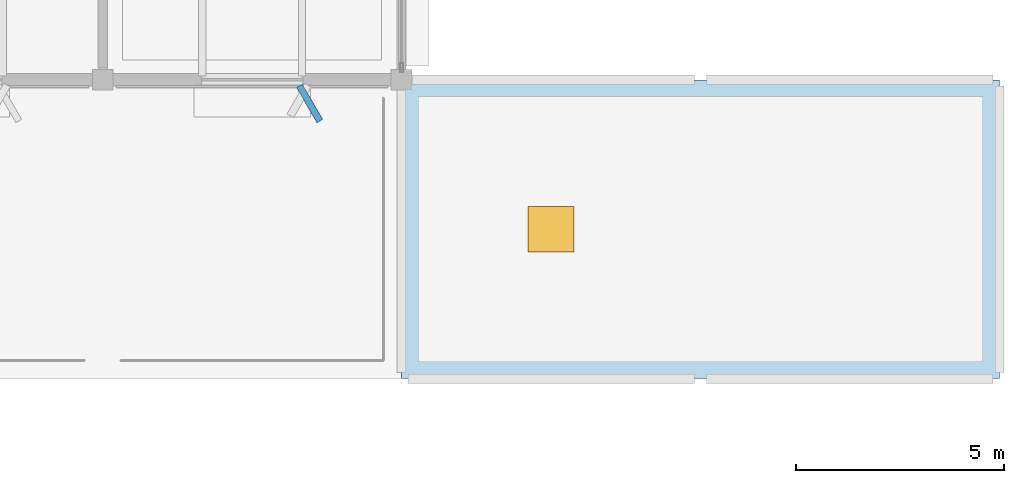
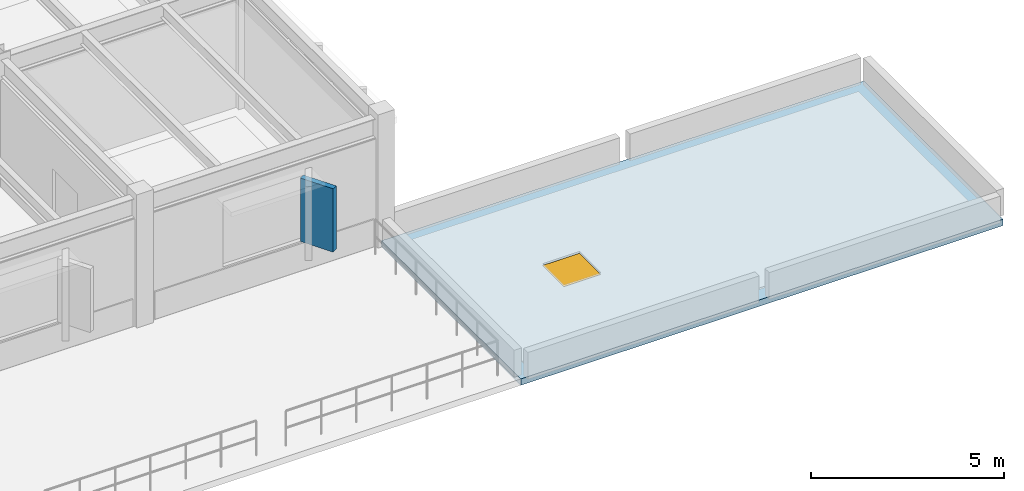
# One storey, part 29 of 85: 1 door, 1 plate, 1 slab, 1 opening.
"""IFC4 building model written with IfcOpenShell, lengths in metres."""

import ifcopenshell
import ifcopenshell.guid

model = None  # the IFC model being written
_history = None  # IfcOwnerHistory: only IFC2X3 demands one
_inside = {}  # id of a spatial element -> (the spatial element, [elements in it])
_under = {}  # id of a project, library or spatial element -> (it, [spatial elements below it])
_declared = {}  # id of a project -> (the project, [libraries it declares])
_typed = {}  # id of a type object -> (the type object, [elements of that type])
_made_of = {}  # id of a material, layer set ... -> (it, [elements and type objects made of it])


def new_model(schema):
    """Start an empty IFC model of exactly this schema.

    Asked for "IFC4X3", IfcOpenShell would pick the latest addendum, in which some entities
    have other attributes; the version numbers below select the first issue.
    IFC2X3 requires an IfcOwnerHistory on every rooted entity: one is made here for all.
    """
    global model, _history
    if schema == "IFC4X3":
        model = ifcopenshell.file(schema_version=(4, 3, 0, 0))
    else:
        model = ifcopenshell.file(schema=schema)
    _inside.clear()
    _under.clear()
    _declared.clear()
    _typed.clear()
    _made_of.clear()
    _history = None
    if model.schema == "IFC2X3":
        org = make("IfcOrganization", Name="unknown")
        user = make(
            "IfcPersonAndOrganization",
            ThePerson=make("IfcPerson", FamilyName="unknown"),
            TheOrganization=org,
        )
        app = make(
            "IfcApplication",
            ApplicationDeveloper=org,
            Version="unknown",
            ApplicationFullName="unknown",
            ApplicationIdentifier="unknown",
        )
        _history = make(
            "IfcOwnerHistory",
            OwningUser=user,
            OwningApplication=app,
            ChangeAction="ADDED",
            CreationDate=0,
        )
    return model


def make(cls, **values):
    """One entity of the class cls with the attributes given. An attribute that is None is left unset."""
    return model.create_entity(
        cls, **{name: value for name, value in values.items() if value is not None}
    )


def rooted(cls, **values):
    """An entity with a GlobalId (a new one), such as an element, a storey or a relation."""
    return make(cls, GlobalId=ifcopenshell.guid.new(), OwnerHistory=_history, **values)


def si_unit(unit_type, name, prefix=None):
    """IfcSIUnit, for example si_unit("LENGTHUNIT", "METRE", prefix="MILLI")."""
    return make("IfcSIUnit", UnitType=unit_type, Prefix=prefix, Name=name)


def assignment(units):
    """IfcUnitAssignment: the units of a project."""
    return None if units is None else make("IfcUnitAssignment", Units=units)


def point(xyz):
    """IfcCartesianPoint."""
    return None if xyz is None else make("IfcCartesianPoint", Coordinates=xyz)


def direction(xyz):
    """IfcDirection."""
    return None if xyz is None else make("IfcDirection", DirectionRatios=xyz)


def frame(location, z_axis=None, x_axis=None):
    """IfcAxis2Placement3D, a coordinate frame: its origin and axes. An axis left out is left unset."""
    return make(
        "IfcAxis2Placement3D",
        Location=point(location),
        Axis=direction(z_axis),
        RefDirection=direction(x_axis),
    )


def frame_2d(location, x_axis=None):
    """IfcAxis2Placement2D, a coordinate frame in the plane: its origin and x axis."""
    return make(
        "IfcAxis2Placement2D", Location=point(location), RefDirection=direction(x_axis)
    )


def origin():
    """The frame at (0, 0, 0) with its axes left unset."""
    return frame((0.0, 0.0, 0.0))


def origin_2d():
    """The frame at (0, 0) in the plane with its x axis left unset."""
    return frame_2d((0.0, 0.0))


def place(relative_to, where):
    """IfcLocalPlacement: puts the frame where relative to a parent placement (None: the world)."""
    return make(
        "IfcLocalPlacement", PlacementRelTo=relative_to, RelativePlacement=where
    )


def context(
    kind, dimensions, precision=None, world=None, true_north=None, identifier=None
):
    """IfcGeometricRepresentationContext, for example the 3D "Model" context."""
    return make(
        "IfcGeometricRepresentationContext",
        ContextIdentifier=identifier,
        ContextType=kind,
        CoordinateSpaceDimension=dimensions,
        Precision=precision,
        WorldCoordinateSystem=world,
        TrueNorth=true_north,
    )


def subcontext(parent, identifier, kind, view, scale=None):
    """IfcGeometricRepresentationSubContext, for example "Body" below "Model"."""
    return make(
        "IfcGeometricRepresentationSubContext",
        ContextIdentifier=identifier,
        ContextType=kind,
        ParentContext=parent,
        TargetScale=scale,
        TargetView=view,
    )


def project(units=None, contexts=None):
    """IfcProject with its units and contexts."""
    return rooted(
        "IfcProject",
        Name="project",
        RepresentationContexts=contexts,
        UnitsInContext=assignment(units),
    )


def spatial(cls, under=None, at=None, **own):
    """A site, building, storey or space (cls), placed at a placement, below another one or the project."""
    s = rooted(cls, ObjectPlacement=at, **own)
    if under is not None:
        _under.setdefault(under.id(), (under, []))[1].append(s)
    return s


def polyline(points):
    """IfcPolyline through the points."""
    return make("IfcPolyline", Points=[point(p) for p in points])


def profile(cls, at=None, kind="AREA", **sizes):
    """A parametric profile (cls). Its sizes go by their IFC names, for example OverallWidth=200.0."""
    return make(cls, ProfileType=kind, Position=at, **sizes)


def rectangle(**sizes):
    """IfcRectangleProfileDef."""
    return profile("IfcRectangleProfileDef", **sizes)


def outline(outer, holes=None, kind="AREA"):
    """IfcArbitraryClosedProfileDef: a profile drawn as a closed curve; with holes, ...WithVoids."""
    if holes is None:
        return make("IfcArbitraryClosedProfileDef", ProfileType=kind, OuterCurve=outer)
    return make(
        "IfcArbitraryProfileDefWithVoids",
        ProfileType=kind,
        OuterCurve=outer,
        InnerCurves=holes,
    )


def extrude(swept, where, along, depth):
    """IfcExtrudedAreaSolid: the profile swept, set in the frame where, extruded along a direction by depth."""
    return make(
        "IfcExtrudedAreaSolid",
        SweptArea=swept,
        Position=where,
        ExtrudedDirection=direction(along),
        Depth=depth,
    )


def shape(context_of_items, identifier, shape_type, items):
    """IfcShapeRepresentation: the items that make up one representation, for example the "Body"."""
    return make(
        "IfcShapeRepresentation",
        ContextOfItems=context_of_items,
        RepresentationIdentifier=identifier,
        RepresentationType=shape_type,
        Items=items,
    )


def material(Name=None, Category=None):
    """IfcMaterial."""
    return make("IfcMaterial", Name=Name, Category=Category)


def layer(
    of_material, thickness, ventilated=None, Name=None, Category=None, Priority=None
):
    """IfcMaterialLayer: one layer of a wall or slab, of a material (None: an air gap)."""
    return make(
        "IfcMaterialLayer",
        Material=of_material,
        LayerThickness=thickness,
        IsVentilated=ventilated,
        Name=Name,
        Category=Category,
        Priority=Priority,
    )


def layer_set(layers, Name=None):
    """IfcMaterialLayerSet."""
    return make("IfcMaterialLayerSet", MaterialLayers=layers, LayerSetName=Name)


def made_of(thing, what):
    """Note that an element or type object is made of a material, layer set ...; save() writes the relation."""
    if what is not None:
        _made_of.setdefault(what.id(), (what, []))[1].append(thing)
    return thing


def type_object(cls, material=None, **own):
    """A type object (cls), such as IfcWallType, which elements share."""
    return made_of(rooted(cls, **own), material)


def element(
    cls,
    number,
    at=None,
    inside=None,
    cuts=None,
    type_object=None,
    material=None,
    context=None,
    identifier="Body",
    shape_type=None,
    held_by="IfcProductDefinitionShape",
    body=None,
    shapes=None,
    **own,
):
    """One element of the class cls, such as IfcWall. Its Tag is "e" and its number.

    at: its placement. inside: the storey or other place that contains it. cuts: it is an
    opening in that element (IfcRelVoidsElement). A single representation is given by context,
    identifier, shape_type and body (its items); several are given by shapes. held_by: the class
    of the entity that holds the representations. save() writes the other relations.
    """
    e = rooted(cls, Tag="e%d" % number, ObjectPlacement=at, **own)
    if body is not None:
        shapes = [shape(context, identifier, shape_type, body)]
    if shapes is not None:
        e.Representation = make(held_by, Representations=shapes)
    if inside is not None:
        _inside.setdefault(inside.id(), (inside, []))[1].append(e)
    if cuts is not None:
        rooted(
            "IfcRelVoidsElement", RelatingBuildingElement=cuts, RelatedOpeningElement=e
        )
    if type_object is not None:
        _typed.setdefault(type_object.id(), (type_object, []))[1].append(e)
    return made_of(e, material)


def fill(opening, filler):
    """IfcRelFillsElement: the door or window that sits in an opening."""
    return rooted(
        "IfcRelFillsElement",
        RelatingOpeningElement=opening,
        RelatedBuildingElement=filler,
    )


def aggregate(whole, parts):
    """IfcRelAggregates: a whole, such as a stair, and the parts it consists of."""
    return rooted("IfcRelAggregates", RelatingObject=whole, RelatedObjects=parts)


def save(model, path):
    """Write the relations noted so far, then the file.

    IfcRelAggregates (storeys below a building ...), IfcRelContainedInSpatialStructure (elements
    in a storey), IfcRelDefinesByType, IfcRelAssociatesMaterial and IfcRelDeclares: one each for
    every whole, place, type object, material and project.
    """
    for whole, parts in _under.values():
        aggregate(whole, parts)
    for where, things in _inside.values():
        rooted(
            "IfcRelContainedInSpatialStructure",
            RelatedElements=things,
            RelatingStructure=where,
        )
    for kind, things in _typed.values():
        rooted("IfcRelDefinesByType", RelatedObjects=things, RelatingType=kind)
    for what, things in _made_of.values():
        rooted("IfcRelAssociatesMaterial", RelatedObjects=things, RelatingMaterial=what)
    for by, libraries in _declared.values():
        rooted("IfcRelDeclares", RelatingContext=by, RelatedDefinitions=libraries)
    model.write(path)


model = new_model("IFC4")

# Units and contexts
model_context = context("Model", 3, precision=1e-05, world=origin(), true_north=direction((0.0, 1.0)))
body_context = subcontext(model_context, "Body", "Model", "MODEL_VIEW")
ifc_project = project(units=[si_unit("LENGTHUNIT", "METRE"), si_unit("AREAUNIT", "SQUARE_METRE"), si_unit("VOLUMEUNIT", "CUBIC_METRE"), si_unit("PLANEANGLEUNIT", "RADIAN"), si_unit("MASSUNIT", "GRAM", prefix="KILO")], contexts=[model_context])

# Site, building, storey
site_placement = place(None, origin())
site = spatial("IfcSite", under=ifc_project, at=site_placement, CompositionType="ELEMENT")
building_placement = place(site_placement, origin())
building = spatial("IfcBuilding", under=site, at=building_placement, Name="Sillqori Civic Hall", CompositionType="ELEMENT")
storey_placement = place(building_placement, frame((0.0, 0.0, 9.89990234375)))
storey = spatial("IfcBuildingStorey", under=building, at=storey_placement, Name="L03", CompositionType="ELEMENT", Elevation=9.89990234375)

# Plate
ifc_material_1 = material(Name="Precast concrete C40/50 (H40)", Category="concrete")
ifc_layer_1 = layer(ifc_material_1, 0.159912109375)
ifc_layer_set_1 = layer_set([ifc_layer_1], Name="Precast concrete C40/50 (H40)")
plate_type = type_object("IfcPlateType", Name="REV-SAW-200", PredefinedType="USERDEFINED", material=ifc_layer_set_1)
plate_placement = place(storey_placement, frame((141.784912109375, 28.22998046875, 0.97509765625), z_axis=(0.0, 0.0, 1.0), x_axis=(-0.866025403784, -0.5, 0.0)))
element("IfcPlate", 1, at=plate_placement, inside=storey, type_object=plate_type, Name="Sawtooth stone window reveal L03-19-04-S.1", ObjectType="REVEAL_PANEL", PredefinedType="USERDEFINED", context=body_context, shape_type="SweptSolid", body=[
    extrude(rectangle(XDim=0.159912109375, YDim=0.97998046875, at=origin_2d()), origin(), (0.0, 0.0, 1.0), 2.0),
])

# Slab, opening, door
ifc_material_2 = material(Name="Concrete C30/37 (H30)", Category="concrete")
ifc_layer_2 = layer(ifc_material_2, 0.199951171875)
ifc_layer_set_2 = layer_set([ifc_layer_2], Name="Concrete C30/37 (H30)")
slab_type = type_object("IfcSlabType", Name="SLB-ROOF-200", PredefinedType="ROOF", material=ifc_layer_set_2)
slab_placement = place(storey_placement, frame((0.0, 0.0, -0.199951171875)))
slab = element("IfcSlab", 2, at=slab_placement, inside=storey, type_object=slab_type, Name="L03 flat structural roof over L02 1", PredefinedType="ROOF", context=body_context, shape_type="SweptSolid", body=[
    extrude(outline(polyline([(151.199951171875, 28.800048828125), (158.39990234375, 28.800048828125), (158.39990234375, 21.60009765625), (151.199951171875, 21.60009765625), (144.0, 21.60009765625), (144.0, 28.800048828125), (151.199951171875, 28.800048828125)]), holes=[polyline([(147.050048828125, 24.64990234375), (147.050048828125, 25.75), (148.14990234375, 25.75), (148.14990234375, 24.64990234375), (147.050048828125, 24.64990234375)])]), origin(), (0.0, 0.0, 1.0), 0.199951171875),
])
opening_placement = place(slab_placement, frame((147.60009765625, 25.199951171875, 0.0)))
opening = element("IfcOpeningElement", 3, at=opening_placement, cuts=slab, Name="Opening TH-01", PredefinedType="OPENING", context=body_context, shape_type="SweptSolid", body=[
    extrude(rectangle(XDim=1.10009765625, YDim=1.10009765625, at=origin_2d()), frame((0.0, 0.0, -0.010009765625)), (0.0, 0.0, 1.0), 0.219970703125),
])
ifc_material_3 = material(Name="Galvanized Insulated Steel", Category="steel")
door_type = type_object("IfcDoorType", Name="TRP-ROOF-110X110", OperationType="NOTDEFINED", PredefinedType="TRAPDOOR", material=ifc_material_3)
door_placement = place(opening_placement, frame((0.0, 0.0, 0.14990234375)))
door = element("IfcDoor", 4, at=door_placement, inside=storey, type_object=door_type, Name="L03 maintenance roof access hatch 07", OperationType="SINGLE_SWING_LEFT", OverallHeight=1.10009765625, OverallWidth=1.10009765625, PredefinedType="TRAPDOOR", context=body_context, shape_type="SweptSolid", body=[
    extrude(rectangle(XDim=1.10009765625, YDim=1.10009765625, at=origin_2d()), origin(), (0.0, 0.0, 1.0), 0.050048828125),
])
fill(opening, door)

save(model, "model.ifc")
